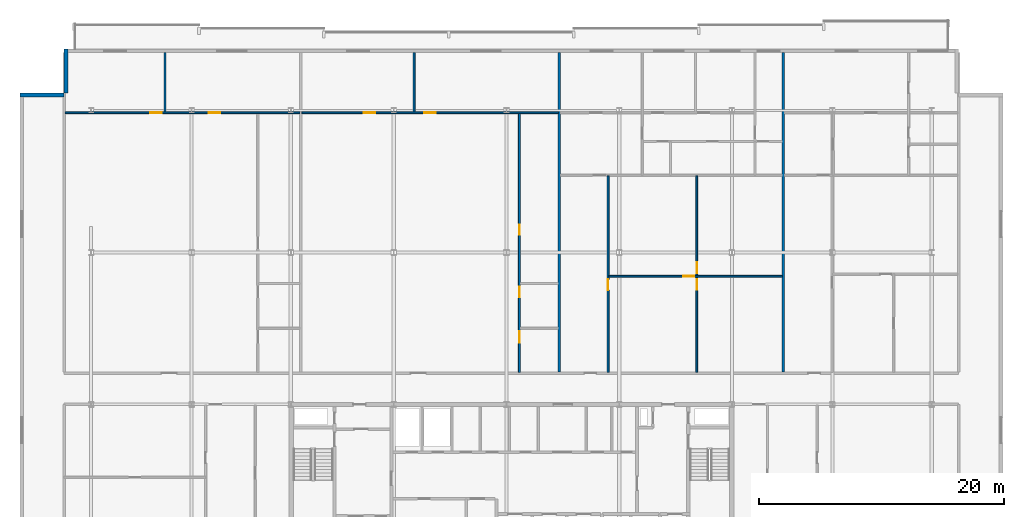
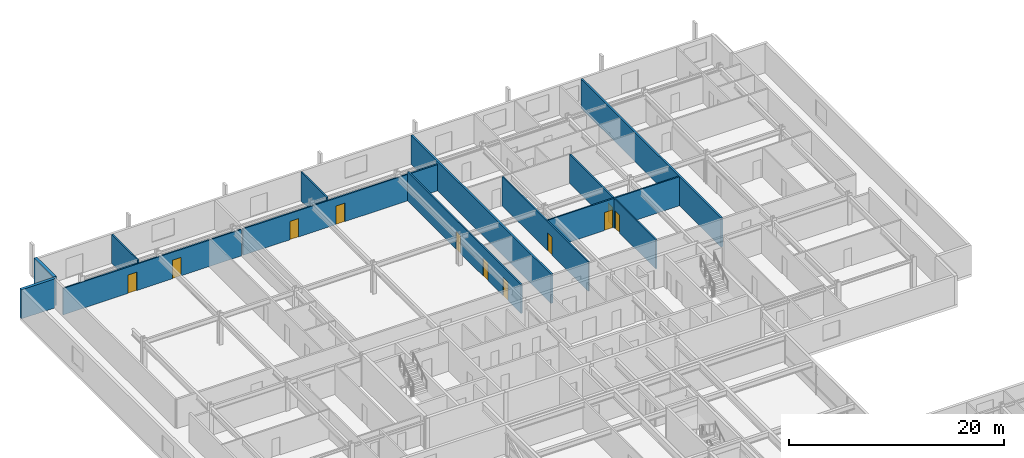
# One storey, part 27 of 36: 12 walls, 11 doors, 11 openings.
"""IFC4 building model written with IfcOpenShell, lengths in metres."""

from ifc_helpers import new_model, si_unit, direction, frame, frame_2d, origin, place, context, subcontext, project, spatial, rectangle, extrude, material, layer, layer_set, type_object, element, fill, save


model = new_model("IFC4")

# Units and contexts
model_context = context("Model", 3, precision=1e-05, world=origin(), true_north=direction((0.0, 1.0)))
body_context = subcontext(model_context, "Body", "Model", "MODEL_VIEW")
ifc_project = project(units=[si_unit("LENGTHUNIT", "METRE"), si_unit("AREAUNIT", "SQUARE_METRE"), si_unit("VOLUMEUNIT", "CUBIC_METRE"), si_unit("PLANEANGLEUNIT", "RADIAN"), si_unit("MASSUNIT", "GRAM", prefix="KILO")], contexts=[model_context])

# Site, building, storey
site_placement = place(None, origin())
site = spatial("IfcSite", under=ifc_project, at=site_placement, CompositionType="ELEMENT")
building_placement = place(site_placement, origin())
building = spatial("IfcBuilding", under=site, at=building_placement, Name="Korimba Cascade Residences", CompositionType="ELEMENT")
storey_placement = place(building_placement, frame((0.0, 0.0, 139.300048828125)))
storey = spatial("IfcBuildingStorey", under=building, at=storey_placement, Name="L40", CompositionType="ELEMENT", Elevation=139.300048828125)

# Walls
ifc_material_1 = material(Name="Precast concrete C40/50", Category="concrete")
ifc_layer_1 = layer(ifc_material_1, 0.300048828125)
ifc_layer_set_1 = layer_set([ifc_layer_1], Name="Precast concrete C40/50")
wall_type_1 = type_object("IfcWallType", Name="EW-STONE-300", PredefinedType="STANDARD", material=ifc_layer_set_1)
wall_1_placement = place(storey_placement, frame((57.75, 96.199951171875, 0.0), z_axis=(0.0, 0.0, 1.0), x_axis=(0.0, -1.0, 0.0)))
element("IfcWall", 1, at=wall_1_placement, inside=storey, type_object=wall_type_1, Name="L40 T1 Perimeter Stone Wall E07", PredefinedType="STANDARD", context=body_context, shape_type="SweptSolid", body=[
    extrude(rectangle(XDim=3.599853515625, YDim=0.300048828125, at=frame_2d((1.7998046875, 0.0))), origin(), (0.0, 0.0, 1.0), 3.31005859375),
])
wall_2_placement = place(storey_placement, frame((57.60009765625, 92.449951171875, 0.0), z_axis=(0.0, 0.0, 1.0), x_axis=(-1.0, 0.0, 0.0)))
element("IfcWall", 2, at=wall_2_placement, inside=storey, type_object=wall_type_1, Name="L40 T1 Perimeter Stone Wall E08", PredefinedType="STANDARD", context=body_context, shape_type="SweptSolid", body=[
    extrude(rectangle(XDim=3.60009765625, YDim=0.300048828125, at=frame_2d((1.800048828125, 0.0))), origin(), (0.0, 0.0, 1.0), 3.31005859375),
])
ifc_layer_2 = layer(ifc_material_1, 0.199951171875)
ifc_layer_set_2 = layer_set([ifc_layer_2], Name="Precast concrete C40/50")
wall_type_2 = type_object("IfcWallType", Name="WAL-IT-200", PredefinedType="PARTITIONING", material=ifc_layer_set_2)
for number, where, z_axis, x_axis, name in (
    (3, (98.021484375, 69.830078125, 0.0), (0.0, 0.0, 1.0), (0.0, 1.0, 0.0), "L40 Partition Wall WAL-L40-T1-DEM-2"),
    (4, (116.292724609375, 69.830078125, 0.0), (0.0, 0.0, 1.0), (0.0, 1.0, 0.0), "L40 Partition Wall WAL-L40-T1-DEM-3"),
):
    element("IfcWall", number, at=place(storey_placement, frame(where, z_axis=z_axis, x_axis=x_axis)), inside=storey, type_object=wall_type_2, Name=name, PredefinedType="PARTITIONING", context=body_context, shape_type="SweptSolid", body=[
        extrude(rectangle(XDim=26.06982421875, YDim=0.199951171875, at=frame_2d((13.034912109375, 0.0))), origin(), (0.0, 0.0, 1.0), 3.31005859375),
    ])
ifc_material_2 = material(Name="Insulated Acoustic Stud Partition", Category="gypsum")
ifc_layer_3 = layer(ifc_material_2, 0.14990234375)
ifc_layer_set_3 = layer_set([ifc_layer_3], Name="Insulated Acoustic Stud Partition")
wall_type_3 = type_object("IfcWallType", Name="WAL-PART-150", PredefinedType="PARTITIONING", material=ifc_layer_set_3)
wall_3_placement = place(storey_placement, frame((65.837158203125, 91.080078125, 0.0), z_axis=(0.0, 0.0, 1.0), x_axis=(0.0, 1.0, 0.0)))
element("IfcWall", 5, at=wall_3_placement, inside=storey, type_object=wall_type_3, Name="L40 Partition Wall WAL-L40-T1-U01-OUTV", PredefinedType="PARTITIONING", context=body_context, shape_type="SweptSolid", body=[
    extrude(rectangle(XDim=4.81982421875, YDim=0.14990234375, at=frame_2d((2.409912109375, 0.0))), origin(), (0.0, 0.0, 1.0), 3.31005859375),
])

# Wall, openings, doors
wall_4_placement = place(storey_placement, frame((57.679931640625, 91.0, 0.0), z_axis=(0.0, 0.0, 1.0), x_axis=(1.0, 0.0, 0.0)))
wall_4 = element("IfcWall", 6, at=wall_4_placement, inside=storey, type_object=wall_type_3, Name="L40 Partition Wall WAL-L40-T1-U01-HZ", PredefinedType="PARTITIONING", context=body_context, shape_type="SweptSolid", body=[
    extrude(rectangle(XDim=19.154296875, YDim=0.14990234375, at=frame_2d((9.5771484375, 0.0))), origin(), (0.0, 0.0, 1.0), 3.00341796875),
])
opening_1_placement = place(wall_4_placement, frame((6.967041015625, 0.0, 0.0)))
opening_1 = element("IfcOpeningElement", 7, at=opening_1_placement, cuts=wall_4, Name="Opening D-IN0", PredefinedType="OPENING", context=body_context, shape_type="SweptSolid", body=[
    extrude(rectangle(XDim=0.93994140625, YDim=2.10009765625, at=frame_2d((0.469970703125, 1.050048828125))), frame((0.0, 0.0849609375, 0.0), z_axis=(0.0, -1.0, 0.0), x_axis=(1.0, 0.0, 0.0)), (0.0, 0.0, 1.0), 0.169921875),
])
opening_2_placement = place(wall_4_placement, frame((11.72119140625, 0.0, 0.0)))
opening_2 = element("IfcOpeningElement", 8, at=opening_2_placement, cuts=wall_4, Name="Opening D-IN0", PredefinedType="OPENING", context=body_context, shape_type="SweptSolid", body=[
    extrude(rectangle(XDim=0.93994140625, YDim=2.10009765625, at=frame_2d((0.469970703125, 1.050048828125))), frame((0.0, 0.0849609375, 0.0), z_axis=(0.0, -1.0, 0.0), x_axis=(1.0, 0.0, 0.0)), (0.0, 0.0, 1.0), 0.169921875),
])
ifc_material_3 = material(Name="Acoustic Timber Living Archway Door", Category="wood")
door_type_1 = type_object("IfcDoorType", Name="DR-INT-950", OperationType="NOTDEFINED", PredefinedType="DOOR", material=ifc_material_3)
door_1_placement = place(opening_1_placement, origin())
door_1 = element("IfcDoor", 9, at=door_1_placement, inside=storey, type_object=door_type_1, Name="L40-T1-U01 Resident Boardroom Door", OperationType="SINGLE_SWING_RIGHT", OverallHeight=2.10009765625, OverallWidth=0.93994140625, PredefinedType="DOOR", context=body_context, shape_type="SweptSolid", body=[
    extrude(rectangle(XDim=0.93994140625, YDim=2.10009765625, at=frame_2d((0.469970703125, 1.050048828125))), frame((0.0, 0.02490234375, 0.0), z_axis=(0.0, -1.0, 0.0), x_axis=(1.0, 0.0, 0.0)), (0.0, 0.0, 1.0), 0.050048828125),
])
fill(opening_1, door_1)
door_2_placement = place(opening_2_placement, origin())
door_2 = element("IfcDoor", 10, at=door_2_placement, inside=storey, type_object=door_type_1, Name="L40-T1-U01 Executive Seminar Room Door", OperationType="SINGLE_SWING_LEFT", OverallHeight=2.10009765625, OverallWidth=0.93994140625, PredefinedType="DOOR", context=body_context, shape_type="SweptSolid", body=[
    extrude(rectangle(XDim=0.93994140625, YDim=2.10009765625, at=frame_2d((0.469970703125, 1.050048828125))), frame((0.0, 0.02490234375, 0.0), z_axis=(0.0, -1.0, 0.0), x_axis=(1.0, 0.0, 0.0)), (0.0, 0.0, 1.0), 0.050048828125),
])
fill(opening_2, door_2)

wall_5_placement = place(storey_placement, frame((94.75146484375, 69.81005859375, 0.0), z_axis=(0.0, 0.0, 1.0), x_axis=(0.0, 1.0, 0.0)))
wall_5 = element("IfcWall", 11, at=wall_5_placement, inside=storey, type_object=wall_type_3, Name="L40 Partition Wall WAL-L40-T1-U02-WCV", PredefinedType="PARTITIONING", context=body_context, shape_type="SweptSolid", body=[
    extrude(rectangle(XDim=21.1298828125, YDim=0.14990234375, at=frame_2d((10.56494140625, 0.0))), origin(), (0.0, 0.0, 1.0), 3.31005859375),
])
opening_3_placement = place(wall_5_placement, frame((2.406005859375, 0.0, 0.0)))
opening_3 = element("IfcOpeningElement", 12, at=opening_3_placement, cuts=wall_5, Name="Opening D-AC1", PredefinedType="OPENING", context=body_context, shape_type="SweptSolid", body=[
    extrude(rectangle(XDim=0.9599609375, YDim=2.10009765625, at=frame_2d((0.47998046875, 1.050048828125))), frame((0.0, 0.0849609375, 0.0), z_axis=(0.0, -1.0, 0.0), x_axis=(1.0, 0.0, 0.0)), (0.0, 0.0, 1.0), 0.169921875),
])
opening_4_placement = place(wall_5_placement, frame((6.132568359375, 0.0, 0.0)))
opening_4 = element("IfcOpeningElement", 13, at=opening_4_placement, cuts=wall_5, Name="Opening D-IN2", PredefinedType="OPENING", context=body_context, shape_type="SweptSolid", body=[
    extrude(rectangle(XDim=0.8798828125, YDim=2.06005859375, at=frame_2d((0.43994140625, 1.030029296875))), frame((0.0, 0.0849609375, 0.0), z_axis=(0.0, -1.0, 0.0), x_axis=(1.0, 0.0, 0.0)), (0.0, 0.0, 1.0), 0.169921875),
])
opening_5_placement = place(wall_5_placement, frame((11.23095703125, 0.0, 0.0)))
opening_5 = element("IfcOpeningElement", 14, at=opening_5_placement, cuts=wall_5, Name="Opening D-BT1", PredefinedType="OPENING", context=body_context, shape_type="SweptSolid", body=[
    extrude(rectangle(XDim=0.840087890625, YDim=2.0400390625, at=frame_2d((0.419921875, 1.02001953125))), frame((0.0, 0.0849609375, 0.0), z_axis=(0.0, -1.0, 0.0), x_axis=(1.0, 0.0, 0.0)), (0.0, 0.0, 1.0), 0.169921875),
])
ifc_material_4 = material(Name="Accessible Acoustic Timber WC Door", Category="wood")
door_type_2 = type_object("IfcDoorType", Name="DR-ACC-950", OperationType="NOTDEFINED", PredefinedType="DOOR", material=ifc_material_4)
door_3_placement = place(opening_3_placement, origin())
door_3 = element("IfcDoor", 15, at=door_3_placement, inside=storey, type_object=door_type_2, Name="L40-T1-U02 Accessible WC Door", OperationType="SINGLE_SWING_RIGHT", OverallHeight=2.10009765625, OverallWidth=0.9599609375, PredefinedType="DOOR", context=body_context, shape_type="SweptSolid", body=[
    extrude(rectangle(XDim=0.9599609375, YDim=2.10009765625, at=frame_2d((0.47998046875, 1.050048828125))), frame((0.0, 0.02490234375, 0.0), z_axis=(0.0, -1.0, 0.0), x_axis=(1.0, 0.0, 0.0)), (0.0, 0.0, 1.0), 0.050048828125),
])
fill(opening_3, door_3)
ifc_material_5 = material(Name="Moisture-Resistant Bathroom Timber Door", Category="wood")
door_type_3 = type_object("IfcDoorType", Name="DR-INT-850", OperationType="NOTDEFINED", PredefinedType="DOOR", material=ifc_material_5)
door_4_placement = place(opening_5_placement, origin())
door_4 = element("IfcDoor", 16, at=door_4_placement, inside=storey, type_object=door_type_3, Name="L40-T1-U02 Suite Store Door", OperationType="SINGLE_SWING_RIGHT", OverallHeight=2.0400390625, OverallWidth=0.840087890625, PredefinedType="DOOR", context=body_context, shape_type="SweptSolid", body=[
    extrude(rectangle(XDim=0.840087890625, YDim=2.0400390625, at=frame_2d((0.419921875, 1.02001953125))), frame((0.0, 0.02490234375, 0.0), z_axis=(0.0, -1.0, 0.0), x_axis=(1.0, 0.0, 0.0)), (0.0, 0.0, 1.0), 0.050048828125),
])
fill(opening_5, door_4)
ifc_material_6 = material(Name="Acoustic Timber Bedroom Door", Category="wood")
door_type_4 = type_object("IfcDoorType", Name="DR-INT-880", OperationType="NOTDEFINED", PredefinedType="DOOR", material=ifc_material_6)
door_5_placement = place(opening_4_placement, origin())
door_5 = element("IfcDoor", 17, at=door_5_placement, inside=storey, type_object=door_type_4, Name="L40-T1-U02 Restroom WC Door", OperationType="SINGLE_SWING_LEFT", OverallHeight=2.06005859375, OverallWidth=0.8798828125, PredefinedType="DOOR", context=body_context, shape_type="SweptSolid", body=[
    extrude(rectangle(XDim=0.8798828125, YDim=2.06005859375, at=frame_2d((0.43994140625, 1.030029296875))), frame((0.0, 0.02490234375, 0.0), z_axis=(0.0, -1.0, 0.0), x_axis=(1.0, 0.0, 0.0)), (0.0, 0.0, 1.0), 0.050048828125),
])
fill(opening_4, door_5)

# Wall
wall_6_placement = place(storey_placement, frame((86.162841796875, 91.080078125, 0.0), z_axis=(0.0, 0.0, 1.0), x_axis=(0.0, 1.0, 0.0)))
element("IfcWall", 18, at=wall_6_placement, inside=storey, type_object=wall_type_3, Name="L40 Partition Wall WAL-L40-T1-U02-OUTV", PredefinedType="PARTITIONING", context=body_context, shape_type="SweptSolid", body=[
    extrude(rectangle(XDim=4.81982421875, YDim=0.14990234375, at=frame_2d((2.409912109375, 0.0))), origin(), (0.0, 0.0, 1.0), 3.31005859375),
])

# Wall, openings, doors
wall_7_placement = place(storey_placement, frame((76.994384765625, 91.0, 0.0), z_axis=(0.0, 0.0, 1.0), x_axis=(1.0, 0.0, 0.0)))
wall_7 = element("IfcWall", 19, at=wall_7_placement, inside=storey, type_object=wall_type_3, Name="L40 Partition Wall WAL-L40-T1-U02-HZ", PredefinedType="PARTITIONING", context=body_context, shape_type="SweptSolid", body=[
    extrude(rectangle(XDim=20.947021484375, YDim=0.14990234375, at=frame_2d((10.4736328125, 0.0))), origin(), (0.0, 0.0, 1.0), 3.00341796875),
])
opening_6_placement = place(wall_7_placement, frame((5.041748046875, 0.0, 0.0)))
opening_6 = element("IfcOpeningElement", 20, at=opening_6_placement, cuts=wall_7, Name="Opening D-IN0", PredefinedType="OPENING", context=body_context, shape_type="SweptSolid", body=[
    extrude(rectangle(XDim=0.93994140625, YDim=2.10009765625, at=frame_2d((0.469970703125, 1.050048828125))), frame((0.0, 0.0849609375, 0.0), z_axis=(0.0, -1.0, 0.0), x_axis=(1.0, 0.0, 0.0)), (0.0, 0.0, 1.0), 0.169921875),
])
opening_7_placement = place(wall_7_placement, frame((10.003662109375, 0.0, 0.0)))
opening_7 = element("IfcOpeningElement", 21, at=opening_7_placement, cuts=wall_7, Name="Opening D-IN0", PredefinedType="OPENING", context=body_context, shape_type="SweptSolid", body=[
    extrude(rectangle(XDim=0.93994140625, YDim=2.10009765625, at=frame_2d((0.469970703125, 1.050048828125))), frame((0.0, 0.0849609375, 0.0), z_axis=(0.0, -1.0, 0.0), x_axis=(1.0, 0.0, 0.0)), (0.0, 0.0, 1.0), 0.169921875),
])
door_6_placement = place(opening_6_placement, origin())
door_6 = element("IfcDoor", 22, at=door_6_placement, inside=storey, type_object=door_type_1, Name="L40-T1-U02 Fitness Pilates Gym Door", OperationType="SINGLE_SWING_LEFT", OverallHeight=2.10009765625, OverallWidth=0.93994140625, PredefinedType="DOOR", context=body_context, shape_type="SweptSolid", body=[
    extrude(rectangle(XDim=0.93994140625, YDim=2.10009765625, at=frame_2d((0.469970703125, 1.050048828125))), frame((0.0, 0.02490234375, 0.0), z_axis=(0.0, -1.0, 0.0), x_axis=(1.0, 0.0, 0.0)), (0.0, 0.0, 1.0), 0.050048828125),
])
fill(opening_6, door_6)
door_7_placement = place(opening_7_placement, origin())
door_7 = element("IfcDoor", 23, at=door_7_placement, inside=storey, type_object=door_type_1, Name="L40-T1-U02 Private Screening Cinema Door", OperationType="SINGLE_SWING_RIGHT", OverallHeight=2.10009765625, OverallWidth=0.93994140625, PredefinedType="DOOR", context=body_context, shape_type="SweptSolid", body=[
    extrude(rectangle(XDim=0.93994140625, YDim=2.10009765625, at=frame_2d((0.469970703125, 1.050048828125))), frame((0.0, 0.02490234375, 0.0), z_axis=(0.0, -1.0, 0.0), x_axis=(1.0, 0.0, 0.0)), (0.0, 0.0, 1.0), 0.050048828125),
])
fill(opening_7, door_7)

wall_8_placement = place(storey_placement, frame((109.232177734375, 69.81005859375, 0.0), z_axis=(0.0, 0.0, 1.0), x_axis=(0.0, 1.0, 0.0)))
wall_8 = element("IfcWall", 24, at=wall_8_placement, inside=storey, type_object=wall_type_3, Name="L40 Partition Wall WAL-L40-T1-U03-FMV", PredefinedType="PARTITIONING", context=body_context, shape_type="SweptSolid", body=[
    extrude(rectangle(XDim=16.050048828125, YDim=0.14990234375, at=frame_2d((8.02490234375, 0.0))), origin(), (0.0, 0.0, 1.0), 3.31005859375),
])
opening_8_placement = place(wall_8_placement, frame((6.7548828125, 0.0, 0.0)))
opening_8 = element("IfcOpeningElement", 25, at=opening_8_placement, cuts=wall_8, Name="Opening D-BT1", PredefinedType="OPENING", context=body_context, shape_type="SweptSolid", body=[
    extrude(rectangle(XDim=0.840087890625, YDim=2.0400390625, at=frame_2d((0.419921875, 1.02001953125))), frame((0.0, 0.0849609375, 0.0), z_axis=(0.0, -1.0, 0.0), x_axis=(1.0, 0.0, 0.0)), (0.0, 0.0, 1.0), 0.169921875),
])
opening_9_placement = place(wall_8_placement, frame((8.094970703125, 0.0, 0.0)))
opening_9 = element("IfcOpeningElement", 26, at=opening_9_placement, cuts=wall_8, Name="Opening D-IN2", PredefinedType="OPENING", context=body_context, shape_type="SweptSolid", body=[
    extrude(rectangle(XDim=0.8798828125, YDim=2.06005859375, at=frame_2d((0.43994140625, 1.030029296875))), frame((0.0, 0.0849609375, 0.0), z_axis=(0.0, -1.0, 0.0), x_axis=(1.0, 0.0, 0.0)), (0.0, 0.0, 1.0), 0.169921875),
])
door_8_placement = place(opening_8_placement, origin())
door_8 = element("IfcDoor", 27, at=door_8_placement, inside=storey, type_object=door_type_3, Name="L40-T1-U03 Wardrobe Door", OperationType="SINGLE_SWING_LEFT", OverallHeight=2.0400390625, OverallWidth=0.840087890625, PredefinedType="DOOR", context=body_context, shape_type="SweptSolid", body=[
    extrude(rectangle(XDim=0.840087890625, YDim=2.0400390625, at=frame_2d((0.419921875, 1.02001953125))), frame((0.0, 0.02490234375, 0.0), z_axis=(0.0, -1.0, 0.0), x_axis=(1.0, 0.0, 0.0)), (0.0, 0.0, 1.0), 0.050048828125),
])
fill(opening_8, door_8)
door_9_placement = place(opening_9_placement, origin())
door_9 = element("IfcDoor", 28, at=door_9_placement, inside=storey, type_object=door_type_4, Name="L40-T1-U03 Music Lounge Door", OperationType="SINGLE_SWING_RIGHT", OverallHeight=2.06005859375, OverallWidth=0.8798828125, PredefinedType="DOOR", context=body_context, shape_type="SweptSolid", body=[
    extrude(rectangle(XDim=0.8798828125, YDim=2.06005859375, at=frame_2d((0.43994140625, 1.030029296875))), frame((0.0, 0.02490234375, 0.0), z_axis=(0.0, -1.0, 0.0), x_axis=(1.0, 0.0, 0.0)), (0.0, 0.0, 1.0), 0.050048828125),
])
fill(opening_9, door_9)

# Wall, opening, door
wall_9_placement = place(storey_placement, frame((102.051513671875, 77.655029296875, 0.0), z_axis=(0.0, 0.0, 1.0), x_axis=(1.0, 0.0, 0.0)))
wall_9 = element("IfcWall", 29, at=wall_9_placement, inside=storey, type_object=wall_type_3, Name="L40 Partition Wall WAL-L40-T1-U03-FMH", PredefinedType="PARTITIONING", context=body_context, shape_type="SweptSolid", body=[
    extrude(rectangle(XDim=14.161376953125, YDim=0.14990234375, at=frame_2d((7.08056640625, 0.0))), origin(), (0.0, 0.0, 1.0), 3.31005859375),
])
opening_10_placement = place(wall_9_placement, frame((6.080810546875, 0.0, 0.0)))
opening_10 = element("IfcOpeningElement", 30, at=opening_10_placement, cuts=wall_9, Name="Opening D-IN2", PredefinedType="OPENING", context=body_context, shape_type="SweptSolid", body=[
    extrude(rectangle(XDim=0.8798828125, YDim=2.06005859375, at=frame_2d((0.43994140625, 1.030029296875))), frame((0.0, 0.0849609375, 0.0), z_axis=(0.0, -1.0, 0.0), x_axis=(1.0, 0.0, 0.0)), (0.0, 0.0, 1.0), 0.169921875),
])
door_10_placement = place(opening_10_placement, origin())
door_10 = element("IfcDoor", 31, at=door_10_placement, inside=storey, type_object=door_type_4, Name="L40-T1-U03 Library Salon Door", OperationType="SINGLE_SWING_LEFT", OverallHeight=2.06005859375, OverallWidth=0.8798828125, PredefinedType="DOOR", context=body_context, shape_type="SweptSolid", body=[
    extrude(rectangle(XDim=0.8798828125, YDim=2.06005859375, at=frame_2d((0.43994140625, 1.030029296875))), frame((0.0, 0.02490234375, 0.0), z_axis=(0.0, -1.0, 0.0), x_axis=(1.0, 0.0, 0.0)), (0.0, 0.0, 1.0), 0.050048828125),
])
fill(opening_10, door_10)

wall_10_placement = place(storey_placement, frame((101.991455078125, 69.81005859375, 0.0), z_axis=(0.0, 0.0, 1.0), x_axis=(0.0, 1.0, 0.0)))
wall_10 = element("IfcWall", 32, at=wall_10_placement, inside=storey, type_object=wall_type_3, Name="L40 Partition Wall WAL-L40-T1-U03-FV", PredefinedType="PARTITIONING", context=body_context, shape_type="SweptSolid", body=[
    extrude(rectangle(XDim=16.050048828125, YDim=0.14990234375, at=frame_2d((8.02490234375, 0.0))), origin(), (0.0, 0.0, 1.0), 3.31005859375),
])
opening_11_placement = place(wall_10_placement, frame((6.715087890625, 0.0, 0.0)))
opening_11 = element("IfcOpeningElement", 33, at=opening_11_placement, cuts=wall_10, Name="Opening D-IN2", PredefinedType="OPENING", context=body_context, shape_type="SweptSolid", body=[
    extrude(rectangle(XDim=0.8798828125, YDim=2.06005859375, at=frame_2d((0.43994140625, 1.030029296875))), frame((0.0, 0.0849609375, 0.0), z_axis=(0.0, -1.0, 0.0), x_axis=(1.0, 0.0, 0.0)), (0.0, 0.0, 1.0), 0.169921875),
])
door_11_placement = place(opening_11_placement, origin())
door_11 = element("IfcDoor", 34, at=door_11_placement, inside=storey, type_object=door_type_4, Name="L40-T1-U03 Media Lounge Door", OperationType="SINGLE_SWING_RIGHT", OverallHeight=2.06005859375, OverallWidth=0.8798828125, PredefinedType="DOOR", context=body_context, shape_type="SweptSolid", body=[
    extrude(rectangle(XDim=0.8798828125, YDim=2.06005859375, at=frame_2d((0.43994140625, 1.030029296875))), frame((0.0, 0.02490234375, 0.0), z_axis=(0.0, -1.0, 0.0), x_axis=(1.0, 0.0, 0.0)), (0.0, 0.0, 1.0), 0.050048828125),
])
fill(opening_11, door_11)

save(model, "model.ifc")
